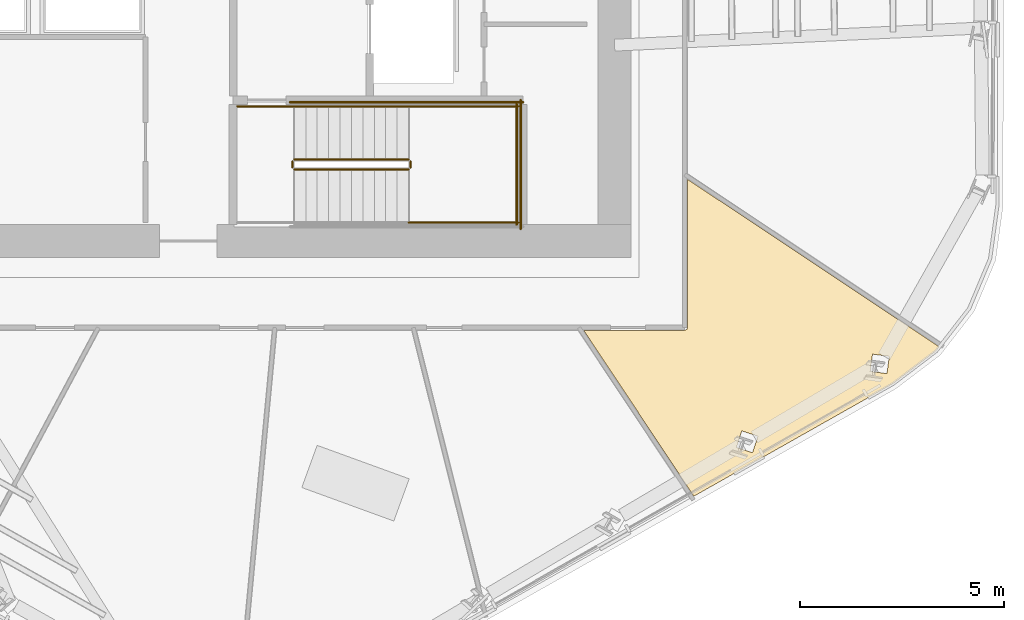
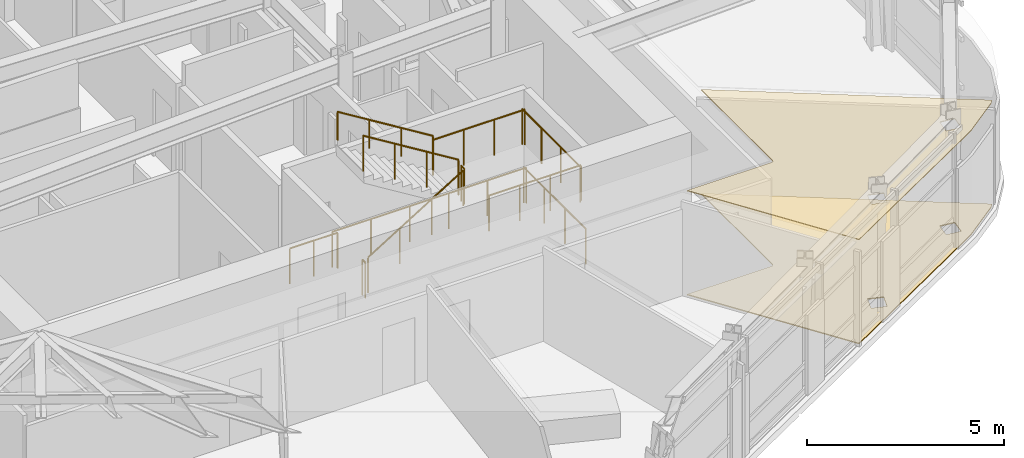
# One storey, part 11 of 16: 11 railings, 2 coverings.
"""IFC4 building model written with IfcOpenShell, lengths in metres."""

from ifc_helpers import new_model, si_unit, direction, frame, origin, origin_2d, place, context, subcontext, project, spatial, polyline, circle, outline, extrude, material, layer, layer_set, type_object, element, save


model = new_model("IFC4")

# Units and contexts
model_context = context("Model", 3, precision=1e-05, world=origin(), true_north=direction((0.0, 1.0)))
body_context = subcontext(model_context, "Body", "Model", "MODEL_VIEW")
ifc_project = project(units=[si_unit("LENGTHUNIT", "METRE"), si_unit("AREAUNIT", "SQUARE_METRE"), si_unit("VOLUMEUNIT", "CUBIC_METRE"), si_unit("PLANEANGLEUNIT", "RADIAN"), si_unit("MASSUNIT", "GRAM", prefix="KILO")], contexts=[model_context])

# Site, building, storey
site_placement = place(None, origin())
site = spatial("IfcSite", under=ifc_project, at=site_placement, CompositionType="ELEMENT")
building_placement = place(site_placement, origin())
building = spatial("IfcBuilding", under=site, at=building_placement, Name="Valkerne Bourse Tower", CompositionType="ELEMENT")
storey_placement = place(building_placement, frame((0.0, 0.0, 151.39990234375)))
storey = spatial("IfcBuildingStorey", under=building, at=storey_placement, Name="L38", CompositionType="ELEMENT", Elevation=151.39990234375)

# Coverings
ifc_material_1 = material(Name="Mineral Fiber Acoustic Ceiling Tile", Category="acoustic")
ifc_layer_1 = layer(ifc_material_1, 0.02490234375)
ifc_layer_set_1 = layer_set([ifc_layer_1], Name="Mineral Fiber Acoustic Ceiling Tile")
covering_type_1 = type_object("IfcCoveringType", Name="COV-CEIL-ACT", PredefinedType="CEILING", material=ifc_layer_set_1)
covering_1_placement = place(storey_placement, frame((0.0, 0.0, 3.22998046875)))
element("IfcCovering", 1, at=covering_1_placement, inside=storey, type_object=covering_type_1, Name="L38 Suspended Ceiling 05", PredefinedType="CEILING", context=body_context, shape_type="SweptSolid", body=[
    extrude(outline(polyline([(57.944091796875, 11.9423828125), (55.2412109375, 16.010986328125), (57.720458984375, 16.010986328125), (57.75, 16.017822265625), (57.77587890625, 16.039306640625), (57.7890625, 16.079345703125), (57.7890625, 19.711181640625), (63.958740234375, 15.603515625), (63.881103515625, 15.50341796875), (62.82275390625, 14.699951171875), (57.944091796875, 11.9423828125)]), holes=[polyline([(59.380859375, 13.009033203125), (59.51416015625, 13.4111328125), (59.121337890625, 13.54248046875), (59.119384765625, 13.54052734375), (58.986083984375, 13.138427734375), (59.37890625, 13.007080078125), (59.380859375, 13.009033203125)]), polyline([(62.73388671875, 15.370361328125), (62.32373046875, 15.425537109375), (62.322021484375, 15.42333984375), (62.2666015625, 15.00341796875), (62.677001953125, 14.947998046875), (62.6787109375, 14.950439453125), (62.73388671875, 15.370361328125)])]), origin(), (0.0, 0.0, 1.0), 0.025146484375),
])
ifc_material_2 = material(Name="Polished Granite Stone", Category="masonry")
ifc_layer_2 = layer(ifc_material_2, 0.030029296875)
ifc_layer_set_2 = layer_set([ifc_layer_2], Name="Polished Granite Stone")
covering_type_2 = type_object("IfcCoveringType", Name="COV-FLR-TERRAZZO", PredefinedType="FLOORING", material=ifc_layer_set_2)
covering_2_placement = place(storey_placement, origin())
element("IfcCovering", 2, at=covering_2_placement, inside=storey, type_object=covering_type_2, Name="L38 Floor Finish 05", PredefinedType="FLOORING", context=body_context, shape_type="SweptSolid", body=[
    extrude(outline(polyline([(57.944091796875, 11.9423828125), (55.2412109375, 16.010986328125), (57.720458984375, 16.010986328125), (57.75, 16.017822265625), (57.77587890625, 16.039306640625), (57.7890625, 16.079345703125), (57.7890625, 19.711181640625), (63.958740234375, 15.603515625), (63.881103515625, 15.50341796875), (62.82275390625, 14.699951171875), (57.944091796875, 11.9423828125)]), holes=[polyline([(59.380859375, 13.009033203125), (59.51416015625, 13.4111328125), (59.121337890625, 13.54248046875), (59.119384765625, 13.54052734375), (58.986083984375, 13.138427734375), (59.37890625, 13.007080078125), (59.380859375, 13.009033203125)]), polyline([(62.73388671875, 15.370361328125), (62.32373046875, 15.425537109375), (62.322021484375, 15.42333984375), (62.2666015625, 15.00341796875), (62.677001953125, 14.947998046875), (62.6787109375, 14.950439453125), (62.73388671875, 15.370361328125)])]), origin(), (0.0, 0.0, 1.0), 0.030029296875),
])

# Railings
ifc_material_3 = material(Name="Galvanised Painted Steel", Category="steel")
railing_type_1 = type_object("IfcRailingType", Name="RLG-ST-GUARD-1120", PredefinedType="GUARDRAIL", material=ifc_material_3)
railing_1_placement = place(storey_placement, frame((48.14990234375, 19.949951171875, 0.1728515625)))
element("IfcRailing", 3, at=railing_1_placement, inside=storey, type_object=railing_type_1, Name="L38 ST-1 stair guard 1", PredefinedType="GUARDRAIL", context=body_context, shape_type="SweptSolid", body=[
    extrude(circle(Radius=0.02392578125, at=origin_2d()), frame((0.0, 0.0, 1.09619140625), z_axis=(0.851089632645, 0.0, 0.525020415988), x_axis=(0.0, 1.0, 0.0)), (0.0, 0.0, 1.0), 3.2900390625),
    extrude(circle(Radius=0.02099609375, at=origin_2d()), origin(), (0.0, 0.0, 1.0), 1.072021484375),
    extrude(circle(Radius=0.02099609375, at=origin_2d()), frame((0.933349609375, 0.0, 0.57568359375)), (0.0, 0.0, 1.0), 1.072021484375),
    extrude(circle(Radius=0.02099609375, at=origin_2d()), frame((1.86669921875, 0.0, 1.151611328125)), (0.0, 0.0, 1.0), 1.072021484375),
    extrude(circle(Radius=0.02099609375, at=origin_2d()), frame((2.800048828125, 0.0, 1.727294921875)), (0.0, 0.0, 1.0), 1.072021484375),
])
railing_2_placement = place(storey_placement, frame((51.0, 20.0, 1.900146484375)))
element("IfcRailing", 4, at=railing_2_placement, inside=storey, type_object=railing_type_1, Name="L38 ST-1 stair guard 2", PredefinedType="GUARDRAIL", context=body_context, shape_type="SweptSolid", body=[
    extrude(circle(Radius=0.02392578125, at=origin_2d()), frame((0.0, 0.0, 1.09619140625), z_axis=(0.0, 1.0, 0.0), x_axis=(-1.0, 0.0, 0.0)), (0.0, 0.0, 1.0), 0.14990234375),
    extrude(circle(Radius=0.02099609375, at=origin_2d()), origin(), (0.0, 0.0, 1.0), 1.072021484375),
    extrude(circle(Radius=0.02099609375, at=origin_2d()), frame((0.0, 0.14990234375, 0.0)), (0.0, 0.0, 1.0), 1.072021484375),
])
for number, where, name in (
    (5, (50.949951171875, 18.64990234375, 1.900146484375), "L38 ST-1 stair guard 3"),
    (6, (50.949951171875, 21.5, 1.900146484375), "L38 ST-1 stair guard 4"),
):
    element("IfcRailing", number, at=place(storey_placement, frame(where)), inside=storey, type_object=railing_type_1, Name=name, PredefinedType="GUARDRAIL", context=body_context, shape_type="SweptSolid", body=[
        extrude(circle(Radius=0.02392578125, at=origin_2d()), frame((0.0, 0.0, 1.09619140625), z_axis=(1.0, 0.0, 0.0), x_axis=(0.0, 1.0, 0.0)), (0.0, 0.0, 1.0), 2.699951171875),
        extrude(circle(Radius=0.02099609375, at=origin_2d()), origin(), (0.0, 0.0, 1.0), 1.072021484375),
        extrude(circle(Radius=0.02099609375, at=origin_2d()), frame((0.89990234375, 0.0, 0.0)), (0.0, 0.0, 1.0), 1.072021484375),
        extrude(circle(Radius=0.02099609375, at=origin_2d()), frame((1.800048828125, 0.0, 0.0)), (0.0, 0.0, 1.0), 1.072021484375),
        extrude(circle(Radius=0.02099609375, at=origin_2d()), frame((2.699951171875, 0.0, 0.0)), (0.0, 0.0, 1.0), 1.072021484375),
    ])
railing_3_placement = place(storey_placement, frame((53.60009765625, 18.60009765625, 1.900146484375)))
element("IfcRailing", 7, at=railing_3_placement, inside=storey, type_object=railing_type_1, Name="L38 ST-1 stair guard 5", PredefinedType="GUARDRAIL", context=body_context, shape_type="SweptSolid", body=[
    extrude(circle(Radius=0.02392578125, at=origin_2d()), frame((0.0, 0.0, 1.09619140625), z_axis=(0.0, 1.0, 0.0), x_axis=(-1.0, 0.0, 0.0)), (0.0, 0.0, 1.0), 2.949951171875),
    extrude(circle(Radius=0.02099609375, at=origin_2d()), origin(), (0.0, 0.0, 1.0), 1.072021484375),
    extrude(circle(Radius=0.02099609375, at=origin_2d()), frame((0.0, 0.9833984375, 0.0)), (0.0, 0.0, 1.0), 1.072021484375),
    extrude(circle(Radius=0.02099609375, at=origin_2d()), frame((0.0, 1.966552734375, 0.0)), (0.0, 0.0, 1.0), 1.072021484375),
    extrude(circle(Radius=0.02099609375, at=origin_2d()), frame((0.0, 2.949951171875, 0.0)), (0.0, 0.0, 1.0), 1.072021484375),
])
railing_4_placement = place(storey_placement, frame((50.949951171875, 20.199951171875, 2.07275390625)))
element("IfcRailing", 8, at=railing_4_placement, inside=storey, type_object=railing_type_1, Name="L38 ST-1 stair guard 6", PredefinedType="GUARDRAIL", context=body_context, shape_type="SweptSolid", body=[
    extrude(circle(Radius=0.02392578125, at=origin_2d()), frame((0.0, 0.0, 1.09619140625), z_axis=(-0.851089632645, 0.0, 0.525020415988), x_axis=(0.0, -1.0, 0.0)), (0.0, 0.0, 1.0), 3.2900390625),
    extrude(circle(Radius=0.02099609375, at=origin_2d()), origin(), (0.0, 0.0, 1.0), 1.072021484375),
    extrude(circle(Radius=0.02099609375, at=origin_2d()), frame((-0.933349609375, 0.0, 0.57568359375)), (0.0, 0.0, 1.0), 1.072021484375),
    extrude(circle(Radius=0.02099609375, at=origin_2d()), frame((-1.86669921875, 0.0, 1.151611328125)), (0.0, 0.0, 1.0), 1.072021484375),
    extrude(circle(Radius=0.02099609375, at=origin_2d()), frame((-2.800048828125, 0.0, 1.727294921875)), (0.0, 0.0, 1.0), 1.072021484375),
])
railing_5_placement = place(storey_placement, frame((48.10009765625, 20.0, 0.0)))
element("IfcRailing", 9, at=railing_5_placement, inside=storey, type_object=railing_type_1, Name="L38 ST-1 stair guard 7", PredefinedType="GUARDRAIL", context=body_context, shape_type="SweptSolid", body=[
    extrude(circle(Radius=0.02392578125, at=origin_2d()), frame((0.0, 0.0, 1.09619140625), z_axis=(0.0, 1.0, 0.0), x_axis=(-1.0, 0.0, 0.0)), (0.0, 0.0, 1.0), 0.14990234375),
    extrude(circle(Radius=0.02099609375, at=origin_2d()), origin(), (0.0, 0.0, 1.0), 1.072021484375),
    extrude(circle(Radius=0.02099609375, at=origin_2d()), frame((0.0, 0.14990234375, 0.0)), (0.0, 0.0, 1.0), 1.072021484375),
])
railing_6_placement = place(storey_placement, frame((46.75, 21.5, 0.0)))
element("IfcRailing", 10, at=railing_6_placement, inside=storey, type_object=railing_type_1, Name="L38 ST-1 stair guard 9", PredefinedType="GUARDRAIL", context=body_context, shape_type="SweptSolid", body=[
    extrude(circle(Radius=0.02392578125, at=origin_2d()), frame((0.0, 0.0, 1.09619140625), z_axis=(1.0, 0.0, 0.0), x_axis=(0.0, 1.0, 0.0)), (0.0, 0.0, 1.0), 1.39990234375),
    extrude(circle(Radius=0.02099609375, at=origin_2d()), origin(), (0.0, 0.0, 1.0), 1.072021484375),
    extrude(circle(Radius=0.02099609375, at=origin_2d()), frame((0.699951171875, 0.0, 0.0)), (0.0, 0.0, 1.0), 1.072021484375),
    extrude(circle(Radius=0.02099609375, at=origin_2d()), frame((1.39990234375, 0.0, 0.0)), (0.0, 0.0, 1.0), 1.072021484375),
])
railing_7_placement = place(storey_placement, frame((48.050048828125, 21.60009765625, 0.0)))
element("IfcRailing", 11, at=railing_7_placement, inside=storey, type_object=railing_type_1, Name="L38 ST-1 stair guard 11", PredefinedType="GUARDRAIL", context=body_context, shape_type="SweptSolid", body=[
    extrude(circle(Radius=0.02392578125, at=origin_2d()), frame((0.0, 0.0, 1.09619140625), z_axis=(1.0, 0.0, 0.0), x_axis=(0.0, 1.0, 0.0)), (0.0, 0.0, 1.0), 5.699951171875),
    extrude(circle(Radius=0.02099609375, at=origin_2d()), origin(), (0.0, 0.0, 1.0), 1.072021484375),
    extrude(circle(Radius=0.02099609375, at=origin_2d()), frame((1.139892578125, 0.0, 0.0)), (0.0, 0.0, 1.0), 1.072021484375),
    extrude(circle(Radius=0.02099609375, at=origin_2d()), frame((2.280029296875, 0.0, 0.0)), (0.0, 0.0, 1.0), 1.072021484375),
    extrude(circle(Radius=0.02099609375, at=origin_2d()), frame((3.419921875, 0.0, 0.0)), (0.0, 0.0, 1.0), 1.072021484375),
    extrude(circle(Radius=0.02099609375, at=origin_2d()), frame((4.56005859375, 0.0, 0.0)), (0.0, 0.0, 1.0), 1.072021484375),
    extrude(circle(Radius=0.02099609375, at=origin_2d()), frame((5.699951171875, 0.0, 0.0)), (0.0, 0.0, 1.0), 1.072021484375),
])
railing_8_placement = place(storey_placement, frame((53.699951171875, 18.5, 0.0)))
element("IfcRailing", 12, at=railing_8_placement, inside=storey, type_object=railing_type_1, Name="L38 ST-1 stair guard 12", PredefinedType="GUARDRAIL", context=body_context, shape_type="SweptSolid", body=[
    extrude(circle(Radius=0.02392578125, at=origin_2d()), frame((0.0, 0.0, 1.09619140625), z_axis=(0.0, 1.0, 0.0), x_axis=(-1.0, 0.0, 0.0)), (0.0, 0.0, 1.0), 3.14990234375),
    extrude(circle(Radius=0.02099609375, at=origin_2d()), origin(), (0.0, 0.0, 1.0), 1.072021484375),
    extrude(circle(Radius=0.02099609375, at=origin_2d()), frame((0.0, 1.050048828125, 0.0)), (0.0, 0.0, 1.0), 1.072021484375),
    extrude(circle(Radius=0.02099609375, at=origin_2d()), frame((0.0, 2.099853515625, 0.0)), (0.0, 0.0, 1.0), 1.072021484375),
    extrude(circle(Radius=0.02099609375, at=origin_2d()), frame((0.0, 3.14990234375, 0.0)), (0.0, 0.0, 1.0), 1.072021484375),
])
ifc_material_4 = material(Name="Stainless Steel AISI 316", Category="steel")
railing_type_2 = type_object("IfcRailingType", Name="RLG-ST-HANDRAIL-900", PredefinedType="HANDRAIL", material=ifc_material_4)
railing_9_placement = place(storey_placement, frame((50.949951171875, 21.5, 2.24560546875)))
element("IfcRailing", 13, at=railing_9_placement, inside=storey, type_object=railing_type_2, Name="L38 ST-1 stair handrail 2", PredefinedType="HANDRAIL", context=body_context, shape_type="SweptSolid", body=[
    extrude(circle(Radius=0.02392578125, at=origin_2d()), frame((0.0, 0.0, 0.8759765625), z_axis=(-0.851089632645, 0.0, 0.525020415988), x_axis=(0.0, -1.0, 0.0)), (0.0, 0.0, 1.0), 3.2900390625),
    extrude(circle(Radius=0.02099609375, at=origin_2d()), origin(), (0.0, 0.0, 1.0), 0.851806640625),
    extrude(circle(Radius=0.02099609375, at=origin_2d()), frame((-0.933349609375, 0.0, 0.57568359375)), (0.0, 0.0, 1.0), 0.851806640625),
    extrude(circle(Radius=0.02099609375, at=origin_2d()), frame((-1.86669921875, 0.0, 1.151611328125)), (0.0, 0.0, 1.0), 0.851806640625),
    extrude(circle(Radius=0.02099609375, at=origin_2d()), frame((-2.800048828125, 0.0, 1.727294921875)), (0.0, 0.0, 1.0), 0.851806640625),
])

save(model, "model.ifc")
